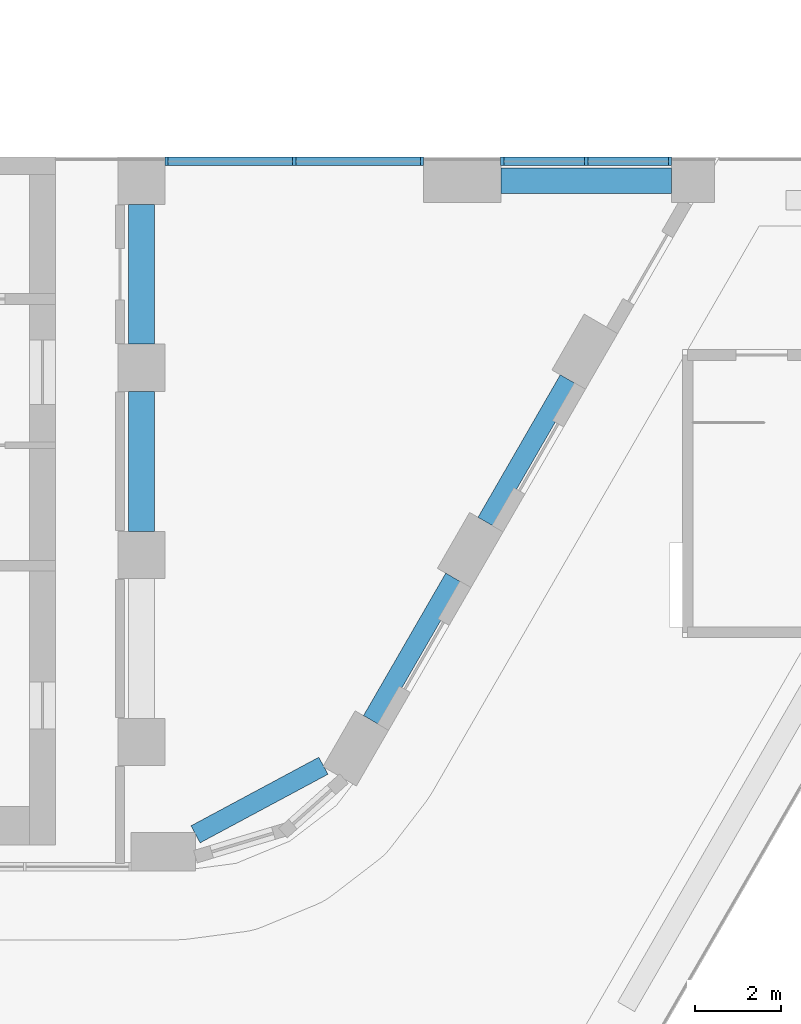
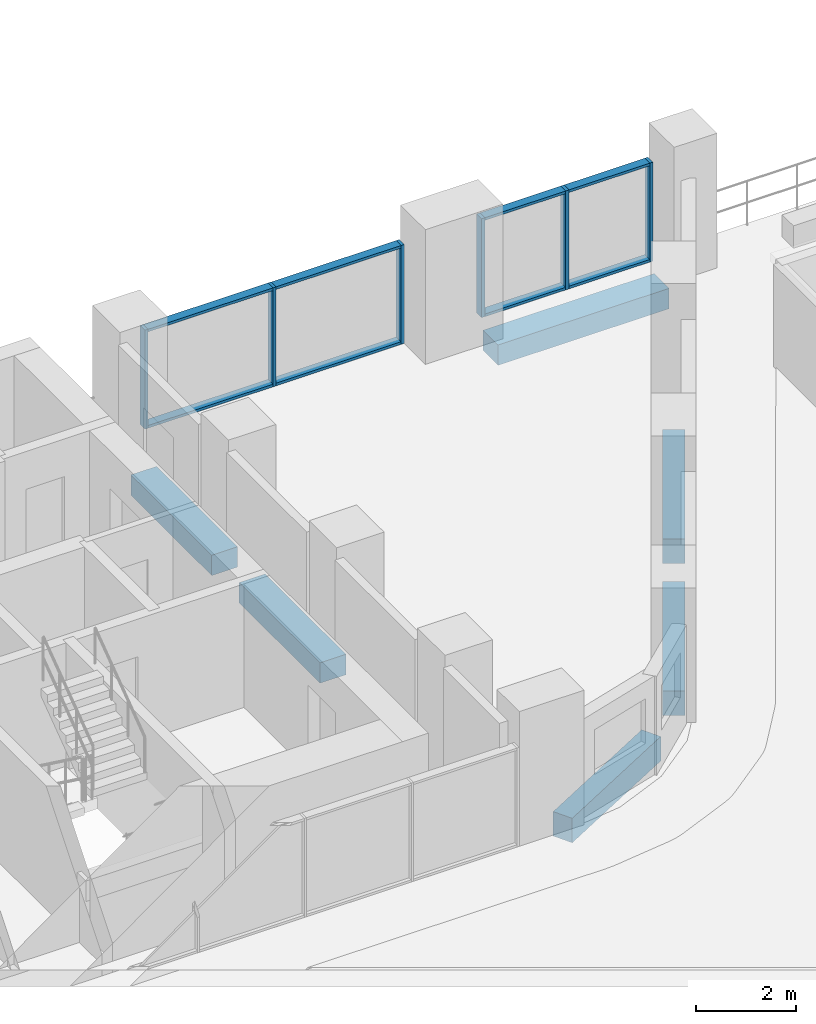
# One storey, part 3 of 24: 14 members, 6 beams, 2 elements without a shape of their own.
"""IFC4 building model written with IfcOpenShell, lengths in metres."""

from ifc_helpers import new_model, si_unit, direction, frame, origin, origin_2d, place, context, subcontext, project, spatial, rectangle, extrude, material, layer, layer_set, material_profile, profile_set, type_object, element, aggregate, save


model = new_model("IFC4")

# Units and contexts
model_context = context("Model", 3, precision=1e-05, world=origin(), true_north=direction((0.0, 1.0)))
body_context = subcontext(model_context, "Body", "Model", "MODEL_VIEW")
ifc_project = project(units=[si_unit("LENGTHUNIT", "METRE"), si_unit("AREAUNIT", "SQUARE_METRE"), si_unit("VOLUMEUNIT", "CUBIC_METRE"), si_unit("PLANEANGLEUNIT", "RADIAN"), si_unit("MASSUNIT", "GRAM", prefix="KILO")], contexts=[model_context])

# Site, building, storey
site_placement = place(None, origin())
site = spatial("IfcSite", under=ifc_project, at=site_placement, CompositionType="ELEMENT")
building_placement = place(site_placement, origin())
building = spatial("IfcBuilding", under=site, at=building_placement, Name="Nakaniwa Court", CompositionType="ELEMENT")
storey_placement = place(building_placement, frame((0.0, 0.0, 28.199951171875)))
storey = spatial("IfcBuildingStorey", under=building, at=storey_placement, Name="L06", CompositionType="ELEMENT", Elevation=28.199951171875)

# Beams
ifc_material_1 = material(Name="Concrete C100/115", Category="concrete")
ifc_material_profile_1 = material_profile(ifc_material_1, rectangle(XDim=0.449951171875, YDim=0.60009765625, at=origin_2d()), Name="Concrete C100/115 RC 450x600 spandrel beam")
ifc_profile_set_1 = profile_set([ifc_material_profile_1], Name="Concrete C100/115")
beam_type_1 = type_object("IfcBeamType", Name="Concrete C100/115 RC 450x600 spandrel beam", PredefinedType="BEAM", material=ifc_profile_set_1)
beam_1_placement = place(storey_placement, frame((91.257080078125, 56.852294921875, -0.574951171875), z_axis=(0.881234537383, 0.472679267711, 0.0), x_axis=(-0.472679267711, 0.881234537383, 0.0)))
element("IfcBeam", 1, at=beam_1_placement, inside=storey, type_object=beam_type_1, Name="SPANDREL BEAM", PredefinedType="BEAM", context=body_context, shape_type="SweptSolid", body=[
    extrude(rectangle(XDim=0.449951171875, YDim=0.60009765625, at=origin_2d()), origin(), (0.0, 0.0, 1.0), 3.373291015625),
])
beam_2_placement = place(storey_placement, frame((95.357421875, 59.5, -0.574951171875), z_axis=(0.500009674092, 0.866019818373, 0.0), x_axis=(-0.866019818373, 0.500009674092, 0.0)))
element("IfcBeam", 2, at=beam_2_placement, inside=storey, type_object=beam_type_1, Name="SPANDREL BEAM", PredefinedType="BEAM", context=body_context, shape_type="SweptSolid", body=[
    extrude(rectangle(XDim=0.449951171875, YDim=0.60009765625, at=origin_2d()), origin(), (0.0, 0.0, 1.0), 3.826171875),
])
beam_3_placement = place(storey_placement, frame((98.0205078125, 64.1123046875, -0.574951171875), z_axis=(0.499961815444, 0.866047448526, 0.0), x_axis=(-0.866047448526, 0.499961815444, 0.0)))
element("IfcBeam", 3, at=beam_3_placement, inside=storey, type_object=beam_type_1, Name="SPANDREL BEAM", PredefinedType="BEAM", context=body_context, shape_type="SweptSolid", body=[
    extrude(rectangle(XDim=0.449951171875, YDim=0.60009765625, at=origin_2d()), origin(), (0.0, 0.0, 1.0), 3.825927734375),
])
ifc_material_profile_2 = material_profile(ifc_material_1, rectangle(XDim=0.60009765625, YDim=0.5, at=origin_2d()), Name="Concrete C100/115 RC 600x500 ring beam")
ifc_profile_set_2 = profile_set([ifc_material_profile_2], Name="Concrete C100/115")
beam_type_2 = type_object("IfcBeamType", Name="Concrete C100/115 RC 600x500 ring beam", PredefinedType="BEAM", material=ifc_profile_set_2)
for number, where, z_axis, x_axis, name in (
    (4, (90.0, 63.89990234375, -0.52490234375), (0.0, 1.0, 0.0), (-1.0, 0.0, 0.0), "RING BEAM"),
    (5, (90.0, 68.25, -0.52490234375), (0.0, 1.0, 0.0), (-1.0, 0.0, 0.0), "RING BEAM"),
):
    element("IfcBeam", number, at=place(storey_placement, frame(where, z_axis=z_axis, x_axis=x_axis)), inside=storey, type_object=beam_type_2, Name=name, PredefinedType="BEAM", context=body_context, shape_type="SweptSolid", body=[
        extrude(rectangle(XDim=0.60009765625, YDim=0.5, at=origin_2d()), origin(), (0.0, 0.0, 1.0), 3.25),
    ])
beam_4_placement = place(storey_placement, frame((98.35791015625, 72.050048828125, -0.52490234375), z_axis=(1.0, 0.0, 0.0), x_axis=(0.0, 1.0, 0.0)))
element("IfcBeam", 6, at=beam_4_placement, inside=storey, type_object=beam_type_2, Name="RING BEAM", PredefinedType="BEAM", context=body_context, shape_type="SweptSolid", body=[
    extrude(rectangle(XDim=0.60009765625, YDim=0.5, at=origin_2d()), origin(), (0.0, 0.0, 1.0), 3.965087890625),
])

# Curtain wall, members
ifc_material_2 = material(Name="Black anodised aluminium frame with dark low-E laminated double glazing", Category="aluminium")
ifc_layer = layer(ifc_material_2, 0.199951171875)
ifc_layer_set = layer_set([ifc_layer], Name="Black anodised aluminium frame with dark low-E laminated double glazing")
curtain_wall_type = type_object("IfcCurtainWallType", Name="Portal side curtain wall", PredefinedType="NOTDEFINED", material=ifc_layer_set)
curtain_wall_1_placement = place(storey_placement, origin())
curtain_wall_1 = element("IfcCurtainWall", 7, at=curtain_wall_1_placement, inside=storey, type_object=curtain_wall_type, Name="L06 curtain wall CW5 02", PredefinedType="NOTDEFINED")
ifc_material_3 = material(Name="Black anodised aluminium extrusion", Category="aluminium")
ifc_material_profile_3 = material_profile(ifc_material_3, rectangle(XDim=0.199951171875, YDim=0.074951171875, at=origin_2d()), Name="Portal side curtain wall mullion 75x200")
ifc_profile_set_3 = profile_set([ifc_material_profile_3], Name="Black anodised aluminium extrusion")
member_type_1 = type_object("IfcMemberType", Name="Portal side curtain wall mullion 75x200", PredefinedType="MULLION", material=ifc_profile_set_3)
member_1_placement = place(storey_placement, frame((102.28955078125, 72.5, 0.0), z_axis=(0.0, 0.0, 1.0), x_axis=(0.0, -1.0, 0.0)))
member_1 = element("IfcMember", 8, at=member_1_placement, type_object=member_type_1, Name="CW5 mullion 1", PredefinedType="MULLION", context=body_context, shape_type="SweptSolid", body=[
    extrude(rectangle(XDim=0.199951171875, YDim=0.074951171875, at=origin_2d()), origin(), (0.0, 0.0, 1.0), 2.425048828125),
])
member_2_placement = place(storey_placement, frame((100.340576171875, 72.5, 0.0), z_axis=(0.0, 0.0, 1.0), x_axis=(0.0, -1.0, 0.0)))
member_2 = element("IfcMember", 9, at=member_2_placement, type_object=member_type_1, Name="CW5 mullion 2", PredefinedType="MULLION", context=body_context, shape_type="SweptSolid", body=[
    extrude(rectangle(XDim=0.199951171875, YDim=0.074951171875, at=origin_2d()), origin(), (0.0, 0.0, 1.0), 2.425048828125),
])
member_3_placement = place(storey_placement, frame((98.3916015625, 72.5, 0.0), z_axis=(0.0, 0.0, 1.0), x_axis=(0.0, -1.0, 0.0)))
member_3 = element("IfcMember", 10, at=member_3_placement, type_object=member_type_1, Name="CW5 mullion 3", PredefinedType="MULLION", context=body_context, shape_type="SweptSolid", body=[
    extrude(rectangle(XDim=0.199951171875, YDim=0.074951171875, at=origin_2d()), origin(), (0.0, 0.0, 1.0), 2.425048828125),
])

curtain_wall_2_placement = place(storey_placement, origin())
curtain_wall_2 = element("IfcCurtainWall", 11, at=curtain_wall_2_placement, inside=storey, type_object=curtain_wall_type, Name="L06 curtain wall CW5 03", PredefinedType="NOTDEFINED")
member_4_placement = place(storey_placement, frame((96.5244140625, 72.5, 0.0), z_axis=(0.0, 0.0, 1.0), x_axis=(0.0, -1.0, 0.0)))
member_4 = element("IfcMember", 12, at=member_4_placement, type_object=member_type_1, Name="CW5 mullion 1", PredefinedType="MULLION", context=body_context, shape_type="SweptSolid", body=[
    extrude(rectangle(XDim=0.199951171875, YDim=0.074951171875, at=origin_2d()), origin(), (0.0, 0.0, 1.0), 2.425048828125),
])
member_5_placement = place(storey_placement, frame((93.553955078125, 72.5, 0.0), z_axis=(0.0, 0.0, 1.0), x_axis=(0.0, -1.0, 0.0)))
member_5 = element("IfcMember", 13, at=member_5_placement, type_object=member_type_1, Name="CW5 mullion 2", PredefinedType="MULLION", context=body_context, shape_type="SweptSolid", body=[
    extrude(rectangle(XDim=0.199951171875, YDim=0.074951171875, at=origin_2d()), origin(), (0.0, 0.0, 1.0), 2.425048828125),
])
member_6_placement = place(storey_placement, frame((90.58349609375, 72.5, 0.0), z_axis=(0.0, 0.0, 1.0), x_axis=(0.0, -1.0, 0.0)))
member_6 = element("IfcMember", 14, at=member_6_placement, type_object=member_type_1, Name="CW5 mullion 3", PredefinedType="MULLION", context=body_context, shape_type="SweptSolid", body=[
    extrude(rectangle(XDim=0.199951171875, YDim=0.074951171875, at=origin_2d()), origin(), (0.0, 0.0, 1.0), 2.425048828125),
])

# Member
ifc_material_profile_4 = material_profile(ifc_material_3, rectangle(XDim=0.199951171875, YDim=0.06494140625, at=origin_2d()), Name="Portal side curtain wall transom 65x200")
ifc_profile_set_4 = profile_set([ifc_material_profile_4], Name="Black anodised aluminium extrusion")
member_type_2 = type_object("IfcMemberType", Name="Portal side curtain wall transom 65x200", PredefinedType="USERDEFINED", material=ifc_profile_set_4)
member_7_placement = place(storey_placement, frame((102.251953125, 72.5, 0.032470703125), z_axis=(-1.0, 0.0, 0.0), x_axis=(0.0, -1.0, 0.0)))
member_7 = element("IfcMember", 15, at=member_7_placement, type_object=member_type_2, Name="CW5 transom 1.1", ObjectType="TRANSOM", PredefinedType="USERDEFINED", context=body_context, shape_type="SweptSolid", body=[
    extrude(rectangle(XDim=0.199951171875, YDim=0.06494140625, at=origin_2d()), origin(), (0.0, 0.0, 1.0), 1.8740234375),
])

member_8_placement = place(storey_placement, frame((102.251953125, 72.5, 2.392578125), z_axis=(-1.0, 0.0, 0.0), x_axis=(0.0, -1.0, 0.0)))
member_8 = element("IfcMember", 16, at=member_8_placement, type_object=member_type_2, Name="CW5 transom 1.2", ObjectType="TRANSOM", PredefinedType="USERDEFINED", context=body_context, shape_type="SweptSolid", body=[
    extrude(rectangle(XDim=0.199951171875, YDim=0.06494140625, at=origin_2d()), origin(), (0.0, 0.0, 1.0), 1.8740234375),
])

member_9_placement = place(storey_placement, frame((100.302978515625, 72.5, 0.032470703125), z_axis=(-1.0, 0.0, 0.0), x_axis=(0.0, -1.0, 0.0)))
member_9 = element("IfcMember", 17, at=member_9_placement, type_object=member_type_2, Name="CW5 transom 2.1", ObjectType="TRANSOM", PredefinedType="USERDEFINED", context=body_context, shape_type="SweptSolid", body=[
    extrude(rectangle(XDim=0.199951171875, YDim=0.06494140625, at=origin_2d()), origin(), (0.0, 0.0, 1.0), 1.8740234375),
])

member_10_placement = place(storey_placement, frame((100.302978515625, 72.5, 2.392578125), z_axis=(-1.0, 0.0, 0.0), x_axis=(0.0, -1.0, 0.0)))
member_10 = element("IfcMember", 18, at=member_10_placement, type_object=member_type_2, Name="CW5 transom 2.2", ObjectType="TRANSOM", PredefinedType="USERDEFINED", context=body_context, shape_type="SweptSolid", body=[
    extrude(rectangle(XDim=0.199951171875, YDim=0.06494140625, at=origin_2d()), origin(), (0.0, 0.0, 1.0), 1.8740234375),
])

aggregate(curtain_wall_1, [member_1, member_2, member_3, member_7, member_8, member_9, member_10])

member_11_placement = place(storey_placement, frame((96.487060546875, 72.5, 0.032470703125), z_axis=(-1.0, 0.0, 0.0), x_axis=(0.0, -1.0, 0.0)))
member_11 = element("IfcMember", 19, at=member_11_placement, type_object=member_type_2, Name="CW5 transom 1.1", ObjectType="TRANSOM", PredefinedType="USERDEFINED", context=body_context, shape_type="SweptSolid", body=[
    extrude(rectangle(XDim=0.199951171875, YDim=0.06494140625, at=origin_2d()), origin(), (0.0, 0.0, 1.0), 2.8955078125),
])

member_12_placement = place(storey_placement, frame((96.487060546875, 72.5, 2.392578125), z_axis=(-1.0, 0.0, 0.0), x_axis=(0.0, -1.0, 0.0)))
member_12 = element("IfcMember", 20, at=member_12_placement, type_object=member_type_2, Name="CW5 transom 1.2", ObjectType="TRANSOM", PredefinedType="USERDEFINED", context=body_context, shape_type="SweptSolid", body=[
    extrude(rectangle(XDim=0.199951171875, YDim=0.06494140625, at=origin_2d()), origin(), (0.0, 0.0, 1.0), 2.8955078125),
])

member_13_placement = place(storey_placement, frame((93.5166015625, 72.5, 0.032470703125), z_axis=(-1.0, 0.0, 0.0), x_axis=(0.0, -1.0, 0.0)))
member_13 = element("IfcMember", 21, at=member_13_placement, type_object=member_type_2, Name="CW5 transom 2.1", ObjectType="TRANSOM", PredefinedType="USERDEFINED", context=body_context, shape_type="SweptSolid", body=[
    extrude(rectangle(XDim=0.199951171875, YDim=0.06494140625, at=origin_2d()), origin(), (0.0, 0.0, 1.0), 2.8955078125),
])

member_14_placement = place(storey_placement, frame((93.5166015625, 72.5, 2.392578125), z_axis=(-1.0, 0.0, 0.0), x_axis=(0.0, -1.0, 0.0)))
member_14 = element("IfcMember", 22, at=member_14_placement, type_object=member_type_2, Name="CW5 transom 2.2", ObjectType="TRANSOM", PredefinedType="USERDEFINED", context=body_context, shape_type="SweptSolid", body=[
    extrude(rectangle(XDim=0.199951171875, YDim=0.06494140625, at=origin_2d()), origin(), (0.0, 0.0, 1.0), 2.8955078125),
])

aggregate(curtain_wall_2, [member_4, member_5, member_6, member_11, member_12, member_13, member_14])

save(model, "model.ifc")
